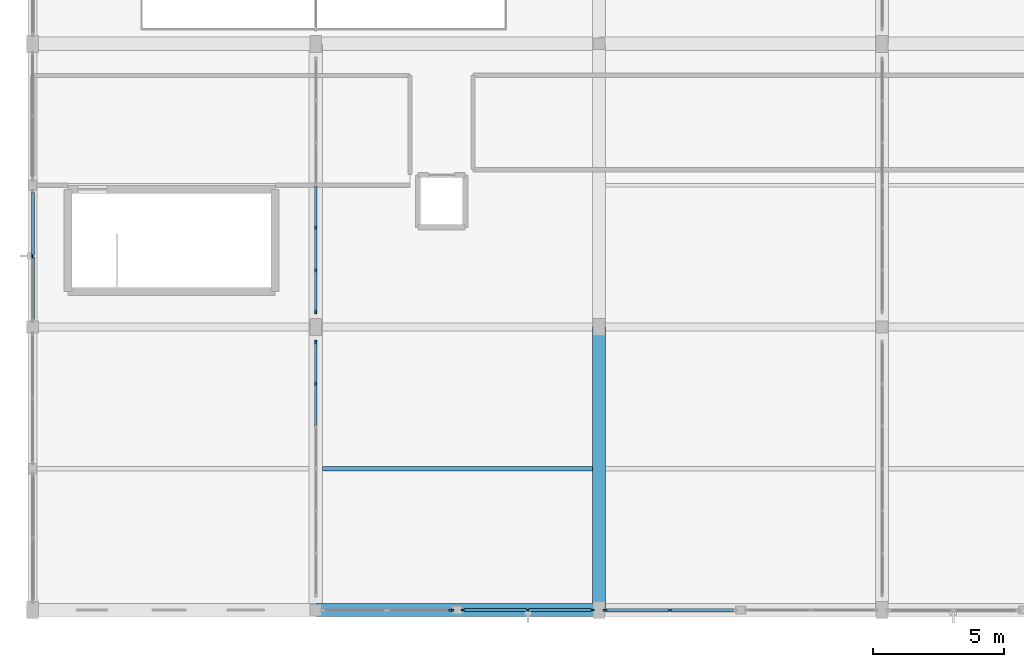
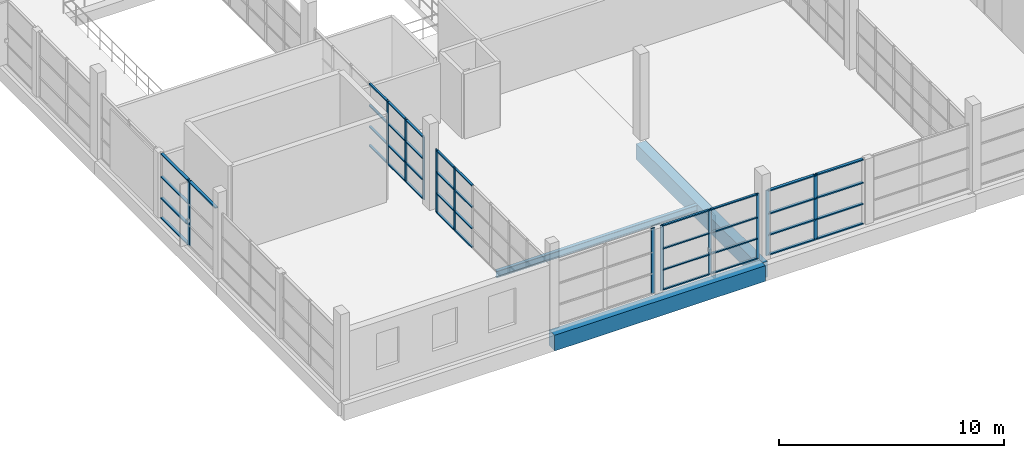
# One storey, part 7 of 142: 53 members, 3 beams, 6 elements without a shape of their own.
"""IFC4 building model written with IfcOpenShell, lengths in metres."""

from ifc_helpers import new_model, si_unit, direction, frame, origin, origin_2d, place, context, subcontext, project, spatial, rectangle, i_section, extrude, material, material_profile, profile_set, type_object, element, aggregate, save


model = new_model("IFC4")

# Units and contexts
model_context = context("Model", 3, precision=1e-05, world=origin(), true_north=direction((0.0, 1.0)))
body_context = subcontext(model_context, "Body", "Model", "MODEL_VIEW")
ifc_project = project(units=[si_unit("LENGTHUNIT", "METRE"), si_unit("AREAUNIT", "SQUARE_METRE"), si_unit("VOLUMEUNIT", "CUBIC_METRE"), si_unit("PLANEANGLEUNIT", "RADIAN"), si_unit("MASSUNIT", "GRAM", prefix="KILO")], contexts=[model_context])

# Site, building, storey
site_placement = place(None, origin())
site = spatial("IfcSite", under=ifc_project, at=site_placement, CompositionType="ELEMENT")
building_placement = place(site_placement, origin())
building = spatial("IfcBuilding", under=site, at=building_placement, Name="Zwinboog Wholesale Market", CompositionType="ELEMENT")
storey_placement = place(building_placement, frame((0.0, 0.0, 5.39990234375)))
storey = spatial("IfcBuildingStorey", under=building, at=storey_placement, Name="L01", CompositionType="ELEMENT", Elevation=5.39990234375)

# Beams
ifc_material_1 = material(Name="Precast concrete C45/55", Category="concrete")
ifc_material_profile_1 = material_profile(ifc_material_1, rectangle(XDim=0.5, YDim=0.85009765625, at=origin_2d()), Name="PC 500x850")
ifc_profile_set_1 = profile_set([ifc_material_profile_1], Name="Precast concrete C45/55")
beam_type_1 = type_object("IfcBeamType", Name="BT-03", PredefinedType="BEAM", material=ifc_profile_set_1)
for number, where, z_axis, x_axis, name in (
    (1, (10.800048828125, 0.0, -0.7568359375), (1.0, 0.0, 0.0), (0.0, 1.0, 0.0), "BG-03 (BMG-L01-0108-0000-0414)"),
    (2, (21.60009765625, 0.0, -0.7568359375), (0.0, 1.0, 0.0), (-1.0, 0.0, 0.0), "BG-03 (BMG-L01-0216-0000-0623)"),
):
    element("IfcBeam", number, at=place(storey_placement, frame(where, z_axis=z_axis, x_axis=x_axis)), inside=storey, type_object=beam_type_1, Name=name, PredefinedType="BEAM", context=body_context, shape_type="SweptSolid", body=[
        extrude(rectangle(XDim=0.5, YDim=0.85009765625, at=origin_2d()), origin(), (0.0, 0.0, 1.0), 10.800048828125),
    ])
ifc_material_2 = material(Name="Steel S355", Category="steel")
ifc_material_profile_2 = material_profile(ifc_material_2, i_section(OverallWidth=0.169921875, OverallDepth=0.360107421875, WebThickness=0.008056640625, FlangeThickness=0.0126953125, FilletRadius=0.01806640625, at=origin_2d()), Name="IPE 360")
ifc_profile_set_2 = profile_set([ifc_material_profile_2], Name="Steel S355")
beam_type_2 = type_object("IfcBeamType", Name="BT-20", PredefinedType="JOIST", material=ifc_profile_set_2)
beam_placement = place(storey_placement, frame((11.050048828125, 5.39990234375, -0.511962890625), z_axis=(1.0, 0.0, 0.0), x_axis=(0.0, 1.0, 0.0)))
element("IfcBeam", 3, at=beam_placement, inside=storey, type_object=beam_type_2, Name="SJ-03 (BMG-L01-0110-0054-0781)", PredefinedType="JOIST", context=body_context, shape_type="SweptSolid", body=[
    extrude(i_section(OverallWidth=0.169921875, OverallDepth=0.360107421875, WebThickness=0.008056640625, FlangeThickness=0.0126953125, FilletRadius=0.01806640625, at=origin_2d()), origin(), (0.0, 0.0, 1.0), 10.300048828125),
])

# Curtain wall, member
ifc_material_3 = material(Name="Aluminium thermally broken curtain wall", Category="aluminium")
curtain_wall_type_1 = type_object("IfcCurtainWallType", Name="CWT-HALL-24", PredefinedType="USERDEFINED", material=ifc_material_3)
curtain_wall_1_placement = place(storey_placement, origin())
curtain_wall_1 = element("IfcCurtainWall", 4, at=curtain_wall_1_placement, inside=storey, type_object=curtain_wall_type_1, Name="CW-03 (CW-L01-051)", ObjectType="UNITIZED_CURTAIN_WALL", PredefinedType="USERDEFINED")
ifc_material_4 = material(Name="Aluminium EN AW-6060", Category="aluminium")
ifc_material_profile_3 = material_profile(ifc_material_4, rectangle(XDim=0.06494140625, YDim=0.179931640625, at=origin_2d()), Name="AL 65x180")
ifc_profile_set_3 = profile_set([ifc_material_profile_3], Name="Aluminium EN AW-6060")
member_type_1 = type_object("IfcMemberType", Name="CWM-65x180", PredefinedType="MULLION", material=ifc_profile_set_3)
member_1_placement = place(storey_placement, frame((0.0, 13.510009765625, 0.0), z_axis=(0.0, 0.0, 1.0), x_axis=(-1.0, 0.0, 0.0)))
member_1 = element("IfcMember", 5, at=member_1_placement, type_object=member_type_1, Name="CW-03 mullion 2", PredefinedType="MULLION", context=body_context, shape_type="SweptSolid", body=[
    extrude(rectangle(XDim=0.06494140625, YDim=0.179931640625, at=origin_2d()), origin(), (0.0, 0.0, 1.0), 3.530029296875),
])

curtain_wall_type_2 = type_object("IfcCurtainWallType", Name="CWT-CAFE-22", PredefinedType="USERDEFINED", material=ifc_material_3)
curtain_wall_2_placement = place(storey_placement, origin())
curtain_wall_2 = element("IfcCurtainWall", 6, at=curtain_wall_2_placement, inside=storey, type_object=curtain_wall_type_2, Name="CW-05 (CW-L01-065)", ObjectType="STOREFRONT_GLAZING", PredefinedType="USERDEFINED")
member_2_placement = place(storey_placement, frame((15.967529296875, 0.0, 0.0), z_axis=(0.0, 0.0, 1.0), x_axis=(0.0, 1.0, 0.0)))
member_2 = element("IfcMember", 7, at=member_2_placement, type_object=member_type_1, Name="CW-05 mullion 3", PredefinedType="MULLION", context=body_context, shape_type="SweptSolid", body=[
    extrude(rectangle(XDim=0.06494140625, YDim=0.179931640625, at=origin_2d()), origin(), (0.0, 0.0, 1.0), 3.530029296875),
])
aggregate(curtain_wall_2, [member_2])

# Curtain wall, members
curtain_wall_type_3 = type_object("IfcCurtainWallType", Name="CWT-STALL-18", PredefinedType="USERDEFINED", material=ifc_material_3)
curtain_wall_3_placement = place(storey_placement, origin())
curtain_wall_3 = element("IfcCurtainWall", 8, at=curtain_wall_3_placement, inside=storey, type_object=curtain_wall_type_3, Name="CW-01 (CW-L01-067)", ObjectType="STOREFRONT_GLAZING", PredefinedType="USERDEFINED")
member_3_placement = place(storey_placement, frame((21.8525390625, 0.0, 0.0), z_axis=(0.0, 0.0, 1.0), x_axis=(0.0, 1.0, 0.0)))
member_3 = element("IfcMember", 9, at=member_3_placement, type_object=member_type_1, Name="CW-01 mullion 1", PredefinedType="MULLION", context=body_context, shape_type="SweptSolid", body=[
    extrude(rectangle(XDim=0.06494140625, YDim=0.179931640625, at=origin_2d()), origin(), (0.0, 0.0, 1.0), 3.530029296875),
])
member_4_placement = place(storey_placement, frame((24.31005859375, 0.0, 0.0), z_axis=(0.0, 0.0, 1.0), x_axis=(0.0, 1.0, 0.0)))
member_4 = element("IfcMember", 10, at=member_4_placement, type_object=member_type_1, Name="CW-01 mullion 2", PredefinedType="MULLION", context=body_context, shape_type="SweptSolid", body=[
    extrude(rectangle(XDim=0.06494140625, YDim=0.179931640625, at=origin_2d()), origin(), (0.0, 0.0, 1.0), 3.530029296875),
])

curtain_wall_type_4 = type_object("IfcCurtainWallType", Name="CWT-OFF-15", PredefinedType="USERDEFINED", material=ifc_material_3)
curtain_wall_4_placement = place(storey_placement, origin())
curtain_wall_4 = element("IfcCurtainWall", 11, at=curtain_wall_4_placement, inside=storey, type_object=curtain_wall_type_4, Name="CW-06 (CW-L01-066)", ObjectType="UNITIZED_CURTAIN_WALL", PredefinedType="USERDEFINED")
ifc_material_profile_4 = material_profile(ifc_material_4, rectangle(XDim=0.06005859375, YDim=0.14990234375, at=origin_2d()), Name="AL 60x150")
ifc_profile_set_4 = profile_set([ifc_material_profile_4], Name="Aluminium EN AW-6060")
member_type_2 = type_object("IfcMemberType", Name="CWM-60x150", PredefinedType="MULLION", material=ifc_profile_set_4)
member_5_placement = place(storey_placement, frame((16.429931640625, 0.0, 0.0), z_axis=(0.0, 0.0, 1.0), x_axis=(0.0, 1.0, 0.0)))
member_5 = element("IfcMember", 12, at=member_5_placement, type_object=member_type_2, Name="CW-06 mullion 1", PredefinedType="MULLION", context=body_context, shape_type="SweptSolid", body=[
    extrude(rectangle(XDim=0.06005859375, YDim=0.14990234375, at=origin_2d()), origin(), (0.0, 0.0, 1.0), 3.530029296875),
])
member_6_placement = place(storey_placement, frame((18.889892578125, 0.0, 0.0), z_axis=(0.0, 0.0, 1.0), x_axis=(0.0, 1.0, 0.0)))
member_6 = element("IfcMember", 13, at=member_6_placement, type_object=member_type_2, Name="CW-06 mullion 2", PredefinedType="MULLION", context=body_context, shape_type="SweptSolid", body=[
    extrude(rectangle(XDim=0.06005859375, YDim=0.14990234375, at=origin_2d()), origin(), (0.0, 0.0, 1.0), 3.530029296875),
])
member_7_placement = place(storey_placement, frame((21.35009765625, 0.0, 0.0), z_axis=(0.0, 0.0, 1.0), x_axis=(0.0, 1.0, 0.0)))
member_7 = element("IfcMember", 14, at=member_7_placement, type_object=member_type_2, Name="CW-06 mullion 3", PredefinedType="MULLION", context=body_context, shape_type="SweptSolid", body=[
    extrude(rectangle(XDim=0.06005859375, YDim=0.14990234375, at=origin_2d()), origin(), (0.0, 0.0, 1.0), 3.530029296875),
])

# Member
ifc_material_profile_5 = material_profile(ifc_material_4, rectangle(XDim=0.139892578125, YDim=0.06494140625, at=origin_2d()), Name="AL 65x140")
ifc_profile_set_5 = profile_set([ifc_material_profile_5], Name="Aluminium EN AW-6060")
member_type_3 = type_object("IfcMemberType", Name="CWT-65x140", PredefinedType="USERDEFINED", material=ifc_profile_set_5)
member_8_placement = place(storey_placement, frame((0.0, 11.0849609375, 3.49755859375), z_axis=(0.0, 1.0, 0.0), x_axis=(-1.0, 0.0, 0.0)))
member_8 = element("IfcMember", 15, at=member_8_placement, type_object=member_type_3, Name="CW-03 transom 1.4", ObjectType="TRANSOM", PredefinedType="USERDEFINED", context=body_context, shape_type="SweptSolid", body=[
    extrude(rectangle(XDim=0.139892578125, YDim=0.06494140625, at=origin_2d()), origin(), (0.0, 0.0, 1.0), 2.392578125),
])

member_9_placement = place(storey_placement, frame((0.0, 13.54248046875, 0.03271484375), z_axis=(0.0, 1.0, 0.0), x_axis=(-1.0, 0.0, 0.0)))
member_9 = element("IfcMember", 16, at=member_9_placement, type_object=member_type_3, Name="CW-03 transom 2.1", ObjectType="TRANSOM", PredefinedType="USERDEFINED", context=body_context, shape_type="SweptSolid", body=[
    extrude(rectangle(XDim=0.139892578125, YDim=0.06494140625, at=origin_2d()), origin(), (0.0, 0.0, 1.0), 2.392578125),
])

member_10_placement = place(storey_placement, frame((0.0, 13.54248046875, 1.10009765625), z_axis=(0.0, 1.0, 0.0), x_axis=(-1.0, 0.0, 0.0)))
member_10 = element("IfcMember", 17, at=member_10_placement, type_object=member_type_3, Name="CW-03 transom 2.2", ObjectType="TRANSOM", PredefinedType="USERDEFINED", context=body_context, shape_type="SweptSolid", body=[
    extrude(rectangle(XDim=0.139892578125, YDim=0.06494140625, at=origin_2d()), origin(), (0.0, 0.0, 1.0), 2.392578125),
])

member_11_placement = place(storey_placement, frame((0.0, 13.54248046875, 2.25), z_axis=(0.0, 1.0, 0.0), x_axis=(-1.0, 0.0, 0.0)))
member_11 = element("IfcMember", 18, at=member_11_placement, type_object=member_type_3, Name="CW-03 transom 2.3", ObjectType="TRANSOM", PredefinedType="USERDEFINED", context=body_context, shape_type="SweptSolid", body=[
    extrude(rectangle(XDim=0.139892578125, YDim=0.06494140625, at=origin_2d()), origin(), (0.0, 0.0, 1.0), 2.392578125),
])

member_12_placement = place(storey_placement, frame((0.0, 13.54248046875, 3.49755859375), z_axis=(0.0, 1.0, 0.0), x_axis=(-1.0, 0.0, 0.0)))
member_12 = element("IfcMember", 19, at=member_12_placement, type_object=member_type_3, Name="CW-03 transom 2.4", ObjectType="TRANSOM", PredefinedType="USERDEFINED", context=body_context, shape_type="SweptSolid", body=[
    extrude(rectangle(XDim=0.139892578125, YDim=0.06494140625, at=origin_2d()), origin(), (0.0, 0.0, 1.0), 2.392578125),
])

aggregate(curtain_wall_1, [member_1, member_8, member_9, member_10, member_11, member_12])

member_13_placement = place(storey_placement, frame((21.885009765625, 0.0, 0.03271484375), z_axis=(1.0, 0.0, 0.0), x_axis=(0.0, 1.0, 0.0)))
member_13 = element("IfcMember", 20, at=member_13_placement, type_object=member_type_3, Name="CW-01 transom 1.1", ObjectType="TRANSOM", PredefinedType="USERDEFINED", context=body_context, shape_type="SweptSolid", body=[
    extrude(rectangle(XDim=0.139892578125, YDim=0.06494140625, at=origin_2d()), origin(), (0.0, 0.0, 1.0), 2.392578125),
])

member_14_placement = place(storey_placement, frame((21.885009765625, 0.0, 1.10009765625), z_axis=(1.0, 0.0, 0.0), x_axis=(0.0, 1.0, 0.0)))
member_14 = element("IfcMember", 21, at=member_14_placement, type_object=member_type_3, Name="CW-01 transom 1.2", ObjectType="TRANSOM", PredefinedType="USERDEFINED", context=body_context, shape_type="SweptSolid", body=[
    extrude(rectangle(XDim=0.139892578125, YDim=0.06494140625, at=origin_2d()), origin(), (0.0, 0.0, 1.0), 2.392578125),
])

member_15_placement = place(storey_placement, frame((21.885009765625, 0.0, 2.25), z_axis=(1.0, 0.0, 0.0), x_axis=(0.0, 1.0, 0.0)))
member_15 = element("IfcMember", 22, at=member_15_placement, type_object=member_type_3, Name="CW-01 transom 1.3", ObjectType="TRANSOM", PredefinedType="USERDEFINED", context=body_context, shape_type="SweptSolid", body=[
    extrude(rectangle(XDim=0.139892578125, YDim=0.06494140625, at=origin_2d()), origin(), (0.0, 0.0, 1.0), 2.392578125),
])

member_16_placement = place(storey_placement, frame((21.885009765625, 0.0, 3.49755859375), z_axis=(1.0, 0.0, 0.0), x_axis=(0.0, 1.0, 0.0)))
member_16 = element("IfcMember", 23, at=member_16_placement, type_object=member_type_3, Name="CW-01 transom 1.4", ObjectType="TRANSOM", PredefinedType="USERDEFINED", context=body_context, shape_type="SweptSolid", body=[
    extrude(rectangle(XDim=0.139892578125, YDim=0.06494140625, at=origin_2d()), origin(), (0.0, 0.0, 1.0), 2.392578125),
])

member_17_placement = place(storey_placement, frame((24.342529296875, 0.0, 0.03271484375), z_axis=(1.0, 0.0, 0.0), x_axis=(0.0, 1.0, 0.0)))
member_17 = element("IfcMember", 24, at=member_17_placement, type_object=member_type_3, Name="CW-01 transom 2.1", ObjectType="TRANSOM", PredefinedType="USERDEFINED", context=body_context, shape_type="SweptSolid", body=[
    extrude(rectangle(XDim=0.139892578125, YDim=0.06494140625, at=origin_2d()), origin(), (0.0, 0.0, 1.0), 2.392578125),
])

member_18_placement = place(storey_placement, frame((24.342529296875, 0.0, 1.10009765625), z_axis=(1.0, 0.0, 0.0), x_axis=(0.0, 1.0, 0.0)))
member_18 = element("IfcMember", 25, at=member_18_placement, type_object=member_type_3, Name="CW-01 transom 2.2", ObjectType="TRANSOM", PredefinedType="USERDEFINED", context=body_context, shape_type="SweptSolid", body=[
    extrude(rectangle(XDim=0.139892578125, YDim=0.06494140625, at=origin_2d()), origin(), (0.0, 0.0, 1.0), 2.392578125),
])

member_19_placement = place(storey_placement, frame((24.342529296875, 0.0, 2.25), z_axis=(1.0, 0.0, 0.0), x_axis=(0.0, 1.0, 0.0)))
member_19 = element("IfcMember", 26, at=member_19_placement, type_object=member_type_3, Name="CW-01 transom 2.3", ObjectType="TRANSOM", PredefinedType="USERDEFINED", context=body_context, shape_type="SweptSolid", body=[
    extrude(rectangle(XDim=0.139892578125, YDim=0.06494140625, at=origin_2d()), origin(), (0.0, 0.0, 1.0), 2.392578125),
])

member_20_placement = place(storey_placement, frame((24.342529296875, 0.0, 3.49755859375), z_axis=(1.0, 0.0, 0.0), x_axis=(0.0, 1.0, 0.0)))
member_20 = element("IfcMember", 27, at=member_20_placement, type_object=member_type_3, Name="CW-01 transom 2.4", ObjectType="TRANSOM", PredefinedType="USERDEFINED", context=body_context, shape_type="SweptSolid", body=[
    extrude(rectangle(XDim=0.139892578125, YDim=0.06494140625, at=origin_2d()), origin(), (0.0, 0.0, 1.0), 2.392578125),
])

aggregate(curtain_wall_3, [member_3, member_4, member_13, member_14, member_15, member_16, member_17, member_18, member_19, member_20])

ifc_material_profile_6 = material_profile(ifc_material_4, rectangle(XDim=0.110107421875, YDim=0.06005859375, at=origin_2d()), Name="AL 60x110")
ifc_profile_set_6 = profile_set([ifc_material_profile_6], Name="Aluminium EN AW-6060")
member_type_4 = type_object("IfcMemberType", Name="CWT-60x110", PredefinedType="USERDEFINED", material=ifc_profile_set_6)
member_21_placement = place(storey_placement, frame((16.4599609375, 0.0, 0.030029296875), z_axis=(1.0, 0.0, 0.0), x_axis=(0.0, 1.0, 0.0)))
member_21 = element("IfcMember", 28, at=member_21_placement, type_object=member_type_4, Name="CW-06 transom 1.1", ObjectType="TRANSOM", PredefinedType="USERDEFINED", context=body_context, shape_type="SweptSolid", body=[
    extrude(rectangle(XDim=0.110107421875, YDim=0.06005859375, at=origin_2d()), origin(), (0.0, 0.0, 1.0), 2.400146484375),
])

member_22_placement = place(storey_placement, frame((16.4599609375, 0.0, 1.10009765625), z_axis=(1.0, 0.0, 0.0), x_axis=(0.0, 1.0, 0.0)))
member_22 = element("IfcMember", 29, at=member_22_placement, type_object=member_type_4, Name="CW-06 transom 1.2", ObjectType="TRANSOM", PredefinedType="USERDEFINED", context=body_context, shape_type="SweptSolid", body=[
    extrude(rectangle(XDim=0.110107421875, YDim=0.06005859375, at=origin_2d()), origin(), (0.0, 0.0, 1.0), 2.400146484375),
])

member_23_placement = place(storey_placement, frame((16.4599609375, 0.0, 2.25), z_axis=(1.0, 0.0, 0.0), x_axis=(0.0, 1.0, 0.0)))
member_23 = element("IfcMember", 30, at=member_23_placement, type_object=member_type_4, Name="CW-06 transom 1.3", ObjectType="TRANSOM", PredefinedType="USERDEFINED", context=body_context, shape_type="SweptSolid", body=[
    extrude(rectangle(XDim=0.110107421875, YDim=0.06005859375, at=origin_2d()), origin(), (0.0, 0.0, 1.0), 2.400146484375),
])

member_24_placement = place(storey_placement, frame((16.4599609375, 0.0, 3.5), z_axis=(1.0, 0.0, 0.0), x_axis=(0.0, 1.0, 0.0)))
member_24 = element("IfcMember", 31, at=member_24_placement, type_object=member_type_4, Name="CW-06 transom 1.4", ObjectType="TRANSOM", PredefinedType="USERDEFINED", context=body_context, shape_type="SweptSolid", body=[
    extrude(rectangle(XDim=0.110107421875, YDim=0.06005859375, at=origin_2d()), origin(), (0.0, 0.0, 1.0), 2.400146484375),
])

member_25_placement = place(storey_placement, frame((18.919921875, 0.0, 0.030029296875), z_axis=(1.0, 0.0, 0.0), x_axis=(0.0, 1.0, 0.0)))
member_25 = element("IfcMember", 32, at=member_25_placement, type_object=member_type_4, Name="CW-06 transom 2.1", ObjectType="TRANSOM", PredefinedType="USERDEFINED", context=body_context, shape_type="SweptSolid", body=[
    extrude(rectangle(XDim=0.110107421875, YDim=0.06005859375, at=origin_2d()), origin(), (0.0, 0.0, 1.0), 2.400146484375),
])

member_26_placement = place(storey_placement, frame((18.919921875, 0.0, 1.10009765625), z_axis=(1.0, 0.0, 0.0), x_axis=(0.0, 1.0, 0.0)))
member_26 = element("IfcMember", 33, at=member_26_placement, type_object=member_type_4, Name="CW-06 transom 2.2", ObjectType="TRANSOM", PredefinedType="USERDEFINED", context=body_context, shape_type="SweptSolid", body=[
    extrude(rectangle(XDim=0.110107421875, YDim=0.06005859375, at=origin_2d()), origin(), (0.0, 0.0, 1.0), 2.400146484375),
])

member_27_placement = place(storey_placement, frame((18.919921875, 0.0, 2.25), z_axis=(1.0, 0.0, 0.0), x_axis=(0.0, 1.0, 0.0)))
member_27 = element("IfcMember", 34, at=member_27_placement, type_object=member_type_4, Name="CW-06 transom 2.3", ObjectType="TRANSOM", PredefinedType="USERDEFINED", context=body_context, shape_type="SweptSolid", body=[
    extrude(rectangle(XDim=0.110107421875, YDim=0.06005859375, at=origin_2d()), origin(), (0.0, 0.0, 1.0), 2.400146484375),
])

member_28_placement = place(storey_placement, frame((18.919921875, 0.0, 3.5), z_axis=(1.0, 0.0, 0.0), x_axis=(0.0, 1.0, 0.0)))
member_28 = element("IfcMember", 35, at=member_28_placement, type_object=member_type_4, Name="CW-06 transom 2.4", ObjectType="TRANSOM", PredefinedType="USERDEFINED", context=body_context, shape_type="SweptSolid", body=[
    extrude(rectangle(XDim=0.110107421875, YDim=0.06005859375, at=origin_2d()), origin(), (0.0, 0.0, 1.0), 2.400146484375),
])

aggregate(curtain_wall_4, [member_5, member_6, member_7, member_21, member_22, member_23, member_24, member_25, member_26, member_27, member_28])

# Curtain wall, members
curtain_wall_type_5 = type_object("IfcCurtainWallType", Name="CWT-INT-STALL", PredefinedType="USERDEFINED", material=ifc_material_3)
curtain_wall_5_placement = place(storey_placement, origin())
curtain_wall_5 = element("IfcCurtainWall", 36, at=curtain_wall_5_placement, inside=storey, type_object=curtain_wall_type_5, Name="CW-07 (CW-STL-255)", ObjectType="STOREFRONT_GLAZING", PredefinedType="USERDEFINED")
ifc_material_profile_7 = material_profile(ifc_material_4, rectangle(XDim=0.06005859375, YDim=0.14990234375, at=origin_2d()), Name="AL 60x150")
ifc_profile_set_7 = profile_set([ifc_material_profile_7], Name="Aluminium EN AW-6060")
member_type_5 = type_object("IfcMemberType", Name="CWM-INT-60x120", PredefinedType="MULLION", material=ifc_profile_set_7)
member_29_placement = place(storey_placement, frame((10.800048828125, 8.63330078125, 0.0), z_axis=(0.0, 0.0, 1.0), x_axis=(-1.0, 0.0, 0.0)))
member_29 = element("IfcMember", 37, at=member_29_placement, type_object=member_type_5, Name="CW-07 mullion 6", PredefinedType="MULLION", context=body_context, shape_type="SweptSolid", body=[
    extrude(rectangle(XDim=0.06005859375, YDim=0.14990234375, at=origin_2d()), origin(), (0.0, 0.0, 1.0), 3.400146484375),
])
member_30_placement = place(storey_placement, frame((10.800048828125, 10.219970703125, 0.0), z_axis=(0.0, 0.0, 1.0), x_axis=(-1.0, 0.0, 0.0)))
member_30 = element("IfcMember", 38, at=member_30_placement, type_object=member_type_5, Name="CW-07 mullion 7", PredefinedType="MULLION", context=body_context, shape_type="SweptSolid", body=[
    extrude(rectangle(XDim=0.06005859375, YDim=0.14990234375, at=origin_2d()), origin(), (0.0, 0.0, 1.0), 3.400146484375),
])

curtain_wall_6_placement = place(storey_placement, origin())
curtain_wall_6 = element("IfcCurtainWall", 39, at=curtain_wall_6_placement, inside=storey, type_object=curtain_wall_type_5, Name="CW-07 (CW-STL-256)", ObjectType="STOREFRONT_GLAZING", PredefinedType="USERDEFINED")
member_31_placement = place(storey_placement, frame((10.800048828125, 11.3798828125, 0.0), z_axis=(0.0, 0.0, 1.0), x_axis=(-1.0, 0.0, 0.0)))
member_31 = element("IfcMember", 40, at=member_31_placement, type_object=member_type_5, Name="CW-07 mullion 1", PredefinedType="MULLION", context=body_context, shape_type="SweptSolid", body=[
    extrude(rectangle(XDim=0.06005859375, YDim=0.14990234375, at=origin_2d()), origin(), (0.0, 0.0, 1.0), 3.400146484375),
])
member_32_placement = place(storey_placement, frame((10.800048828125, 12.966552734375, 0.0), z_axis=(0.0, 0.0, 1.0), x_axis=(-1.0, 0.0, 0.0)))
member_32 = element("IfcMember", 41, at=member_32_placement, type_object=member_type_5, Name="CW-07 mullion 2", PredefinedType="MULLION", context=body_context, shape_type="SweptSolid", body=[
    extrude(rectangle(XDim=0.06005859375, YDim=0.14990234375, at=origin_2d()), origin(), (0.0, 0.0, 1.0), 3.400146484375),
])
member_33_placement = place(storey_placement, frame((10.800048828125, 14.583251953125, 0.0), z_axis=(0.0, 0.0, 1.0), x_axis=(-1.0, 0.0, 0.0)))
member_33 = element("IfcMember", 42, at=member_33_placement, type_object=member_type_5, Name="CW-07 mullion 3", PredefinedType="MULLION", context=body_context, shape_type="SweptSolid", body=[
    extrude(rectangle(XDim=0.06005859375, YDim=0.14990234375, at=origin_2d()), origin(), (0.0, 0.0, 1.0), 3.400146484375),
])

# Member
ifc_material_profile_8 = material_profile(ifc_material_4, rectangle(XDim=0.110107421875, YDim=0.06005859375, at=origin_2d()), Name="AL 60x110")
ifc_profile_set_8 = profile_set([ifc_material_profile_8], Name="Aluminium EN AW-6060")
member_type_6 = type_object("IfcMemberType", Name="CWT-INT-60x100", PredefinedType="USERDEFINED", material=ifc_profile_set_8)
member_34_placement = place(storey_placement, frame((10.800048828125, 7.046630859375, 0.030029296875), z_axis=(0.0, 1.0, 0.0), x_axis=(-1.0, 0.0, 0.0)))
member_34 = element("IfcMember", 43, at=member_34_placement, type_object=member_type_6, Name="CW-07 transom 5.1", ObjectType="TRANSOM", PredefinedType="USERDEFINED", context=body_context, shape_type="SweptSolid", body=[
    extrude(rectangle(XDim=0.110107421875, YDim=0.06005859375, at=origin_2d()), origin(), (0.0, 0.0, 1.0), 1.556640625),
])

member_35_placement = place(storey_placement, frame((10.800048828125, 7.046630859375, 1.050048828125), z_axis=(0.0, 1.0, 0.0), x_axis=(-1.0, 0.0, 0.0)))
member_35 = element("IfcMember", 44, at=member_35_placement, type_object=member_type_6, Name="CW-07 transom 5.2", ObjectType="TRANSOM", PredefinedType="USERDEFINED", context=body_context, shape_type="SweptSolid", body=[
    extrude(rectangle(XDim=0.110107421875, YDim=0.06005859375, at=origin_2d()), origin(), (0.0, 0.0, 1.0), 1.556640625),
])

member_36_placement = place(storey_placement, frame((10.800048828125, 7.046630859375, 2.2001953125), z_axis=(0.0, 1.0, 0.0), x_axis=(-1.0, 0.0, 0.0)))
member_36 = element("IfcMember", 45, at=member_36_placement, type_object=member_type_6, Name="CW-07 transom 5.3", ObjectType="TRANSOM", PredefinedType="USERDEFINED", context=body_context, shape_type="SweptSolid", body=[
    extrude(rectangle(XDim=0.110107421875, YDim=0.06005859375, at=origin_2d()), origin(), (0.0, 0.0, 1.0), 1.556640625),
])

member_37_placement = place(storey_placement, frame((10.800048828125, 7.046630859375, 3.3701171875), z_axis=(0.0, 1.0, 0.0), x_axis=(-1.0, 0.0, 0.0)))
member_37 = element("IfcMember", 46, at=member_37_placement, type_object=member_type_6, Name="CW-07 transom 5.4", ObjectType="TRANSOM", PredefinedType="USERDEFINED", context=body_context, shape_type="SweptSolid", body=[
    extrude(rectangle(XDim=0.110107421875, YDim=0.06005859375, at=origin_2d()), origin(), (0.0, 0.0, 1.0), 1.556640625),
])

member_38_placement = place(storey_placement, frame((10.800048828125, 8.663330078125, 0.030029296875), z_axis=(0.0, 1.0, 0.0), x_axis=(-1.0, 0.0, 0.0)))
member_38 = element("IfcMember", 47, at=member_38_placement, type_object=member_type_6, Name="CW-07 transom 6.1", ObjectType="TRANSOM", PredefinedType="USERDEFINED", context=body_context, shape_type="SweptSolid", body=[
    extrude(rectangle(XDim=0.110107421875, YDim=0.06005859375, at=origin_2d()), origin(), (0.0, 0.0, 1.0), 1.526611328125),
])

member_39_placement = place(storey_placement, frame((10.800048828125, 8.663330078125, 1.050048828125), z_axis=(0.0, 1.0, 0.0), x_axis=(-1.0, 0.0, 0.0)))
member_39 = element("IfcMember", 48, at=member_39_placement, type_object=member_type_6, Name="CW-07 transom 6.2", ObjectType="TRANSOM", PredefinedType="USERDEFINED", context=body_context, shape_type="SweptSolid", body=[
    extrude(rectangle(XDim=0.110107421875, YDim=0.06005859375, at=origin_2d()), origin(), (0.0, 0.0, 1.0), 1.526611328125),
])

member_40_placement = place(storey_placement, frame((10.800048828125, 8.663330078125, 2.2001953125), z_axis=(0.0, 1.0, 0.0), x_axis=(-1.0, 0.0, 0.0)))
member_40 = element("IfcMember", 49, at=member_40_placement, type_object=member_type_6, Name="CW-07 transom 6.3", ObjectType="TRANSOM", PredefinedType="USERDEFINED", context=body_context, shape_type="SweptSolid", body=[
    extrude(rectangle(XDim=0.110107421875, YDim=0.06005859375, at=origin_2d()), origin(), (0.0, 0.0, 1.0), 1.526611328125),
])

member_41_placement = place(storey_placement, frame((10.800048828125, 8.663330078125, 3.3701171875), z_axis=(0.0, 1.0, 0.0), x_axis=(-1.0, 0.0, 0.0)))
member_41 = element("IfcMember", 50, at=member_41_placement, type_object=member_type_6, Name="CW-07 transom 6.4", ObjectType="TRANSOM", PredefinedType="USERDEFINED", context=body_context, shape_type="SweptSolid", body=[
    extrude(rectangle(XDim=0.110107421875, YDim=0.06005859375, at=origin_2d()), origin(), (0.0, 0.0, 1.0), 1.526611328125),
])

aggregate(curtain_wall_5, [member_29, member_30, member_34, member_35, member_36, member_37, member_38, member_39, member_40, member_41])

member_42_placement = place(storey_placement, frame((10.800048828125, 11.409912109375, 0.030029296875), z_axis=(0.0, 1.0, 0.0), x_axis=(-1.0, 0.0, 0.0)))
member_42 = element("IfcMember", 51, at=member_42_placement, type_object=member_type_6, Name="CW-07 transom 1.1", ObjectType="TRANSOM", PredefinedType="USERDEFINED", context=body_context, shape_type="SweptSolid", body=[
    extrude(rectangle(XDim=0.110107421875, YDim=0.06005859375, at=origin_2d()), origin(), (0.0, 0.0, 1.0), 1.52685546875),
])

member_43_placement = place(storey_placement, frame((10.800048828125, 11.409912109375, 1.050048828125), z_axis=(0.0, 1.0, 0.0), x_axis=(-1.0, 0.0, 0.0)))
member_43 = element("IfcMember", 52, at=member_43_placement, type_object=member_type_6, Name="CW-07 transom 1.2", ObjectType="TRANSOM", PredefinedType="USERDEFINED", context=body_context, shape_type="SweptSolid", body=[
    extrude(rectangle(XDim=0.110107421875, YDim=0.06005859375, at=origin_2d()), origin(), (0.0, 0.0, 1.0), 1.52685546875),
])

member_44_placement = place(storey_placement, frame((10.800048828125, 11.409912109375, 2.2001953125), z_axis=(0.0, 1.0, 0.0), x_axis=(-1.0, 0.0, 0.0)))
member_44 = element("IfcMember", 53, at=member_44_placement, type_object=member_type_6, Name="CW-07 transom 1.3", ObjectType="TRANSOM", PredefinedType="USERDEFINED", context=body_context, shape_type="SweptSolid", body=[
    extrude(rectangle(XDim=0.110107421875, YDim=0.06005859375, at=origin_2d()), origin(), (0.0, 0.0, 1.0), 1.52685546875),
])

member_45_placement = place(storey_placement, frame((10.800048828125, 11.409912109375, 3.3701171875), z_axis=(0.0, 1.0, 0.0), x_axis=(-1.0, 0.0, 0.0)))
member_45 = element("IfcMember", 54, at=member_45_placement, type_object=member_type_6, Name="CW-07 transom 1.4", ObjectType="TRANSOM", PredefinedType="USERDEFINED", context=body_context, shape_type="SweptSolid", body=[
    extrude(rectangle(XDim=0.110107421875, YDim=0.06005859375, at=origin_2d()), origin(), (0.0, 0.0, 1.0), 1.52685546875),
])

member_46_placement = place(storey_placement, frame((10.800048828125, 12.99658203125, 0.030029296875), z_axis=(0.0, 1.0, 0.0), x_axis=(-1.0, 0.0, 0.0)))
member_46 = element("IfcMember", 55, at=member_46_placement, type_object=member_type_6, Name="CW-07 transom 2.1", ObjectType="TRANSOM", PredefinedType="USERDEFINED", context=body_context, shape_type="SweptSolid", body=[
    extrude(rectangle(XDim=0.110107421875, YDim=0.06005859375, at=origin_2d()), origin(), (0.0, 0.0, 1.0), 1.556640625),
])

member_47_placement = place(storey_placement, frame((10.800048828125, 12.99658203125, 1.050048828125), z_axis=(0.0, 1.0, 0.0), x_axis=(-1.0, 0.0, 0.0)))
member_47 = element("IfcMember", 56, at=member_47_placement, type_object=member_type_6, Name="CW-07 transom 2.2", ObjectType="TRANSOM", PredefinedType="USERDEFINED", context=body_context, shape_type="SweptSolid", body=[
    extrude(rectangle(XDim=0.110107421875, YDim=0.06005859375, at=origin_2d()), origin(), (0.0, 0.0, 1.0), 1.556640625),
])

member_48_placement = place(storey_placement, frame((10.800048828125, 12.99658203125, 2.2001953125), z_axis=(0.0, 1.0, 0.0), x_axis=(-1.0, 0.0, 0.0)))
member_48 = element("IfcMember", 57, at=member_48_placement, type_object=member_type_6, Name="CW-07 transom 2.3", ObjectType="TRANSOM", PredefinedType="USERDEFINED", context=body_context, shape_type="SweptSolid", body=[
    extrude(rectangle(XDim=0.110107421875, YDim=0.06005859375, at=origin_2d()), origin(), (0.0, 0.0, 1.0), 1.556640625),
])

member_49_placement = place(storey_placement, frame((10.800048828125, 12.99658203125, 3.3701171875), z_axis=(0.0, 1.0, 0.0), x_axis=(-1.0, 0.0, 0.0)))
member_49 = element("IfcMember", 58, at=member_49_placement, type_object=member_type_6, Name="CW-07 transom 2.4", ObjectType="TRANSOM", PredefinedType="USERDEFINED", context=body_context, shape_type="SweptSolid", body=[
    extrude(rectangle(XDim=0.110107421875, YDim=0.06005859375, at=origin_2d()), origin(), (0.0, 0.0, 1.0), 1.556640625),
])

member_50_placement = place(storey_placement, frame((10.800048828125, 14.61328125, 0.030029296875), z_axis=(0.0, 1.0, 0.0), x_axis=(-1.0, 0.0, 0.0)))
member_50 = element("IfcMember", 59, at=member_50_placement, type_object=member_type_6, Name="CW-07 transom 3.1", ObjectType="TRANSOM", PredefinedType="USERDEFINED", context=body_context, shape_type="SweptSolid", body=[
    extrude(rectangle(XDim=0.110107421875, YDim=0.06005859375, at=origin_2d()), origin(), (0.0, 0.0, 1.0), 1.556640625),
])

member_51_placement = place(storey_placement, frame((10.800048828125, 14.61328125, 1.050048828125), z_axis=(0.0, 1.0, 0.0), x_axis=(-1.0, 0.0, 0.0)))
member_51 = element("IfcMember", 60, at=member_51_placement, type_object=member_type_6, Name="CW-07 transom 3.2", ObjectType="TRANSOM", PredefinedType="USERDEFINED", context=body_context, shape_type="SweptSolid", body=[
    extrude(rectangle(XDim=0.110107421875, YDim=0.06005859375, at=origin_2d()), origin(), (0.0, 0.0, 1.0), 1.556640625),
])

member_52_placement = place(storey_placement, frame((10.800048828125, 14.61328125, 2.2001953125), z_axis=(0.0, 1.0, 0.0), x_axis=(-1.0, 0.0, 0.0)))
member_52 = element("IfcMember", 61, at=member_52_placement, type_object=member_type_6, Name="CW-07 transom 3.3", ObjectType="TRANSOM", PredefinedType="USERDEFINED", context=body_context, shape_type="SweptSolid", body=[
    extrude(rectangle(XDim=0.110107421875, YDim=0.06005859375, at=origin_2d()), origin(), (0.0, 0.0, 1.0), 1.556640625),
])

member_53_placement = place(storey_placement, frame((10.800048828125, 14.61328125, 3.3701171875), z_axis=(0.0, 1.0, 0.0), x_axis=(-1.0, 0.0, 0.0)))
member_53 = element("IfcMember", 62, at=member_53_placement, type_object=member_type_6, Name="CW-07 transom 3.4", ObjectType="TRANSOM", PredefinedType="USERDEFINED", context=body_context, shape_type="SweptSolid", body=[
    extrude(rectangle(XDim=0.110107421875, YDim=0.06005859375, at=origin_2d()), origin(), (0.0, 0.0, 1.0), 1.556640625),
])

aggregate(curtain_wall_6, [member_31, member_32, member_33, member_42, member_43, member_44, member_45, member_46, member_47, member_48, member_49, member_50, member_51, member_52, member_53])

save(model, "model.ifc")
